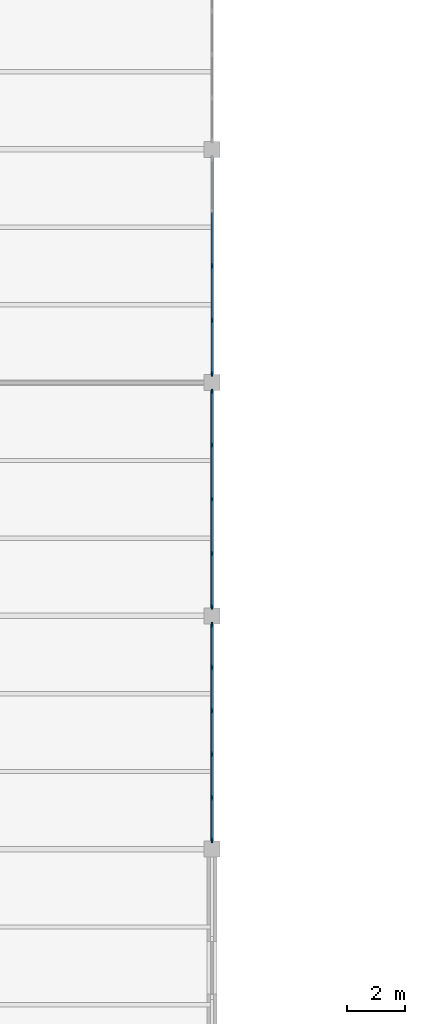
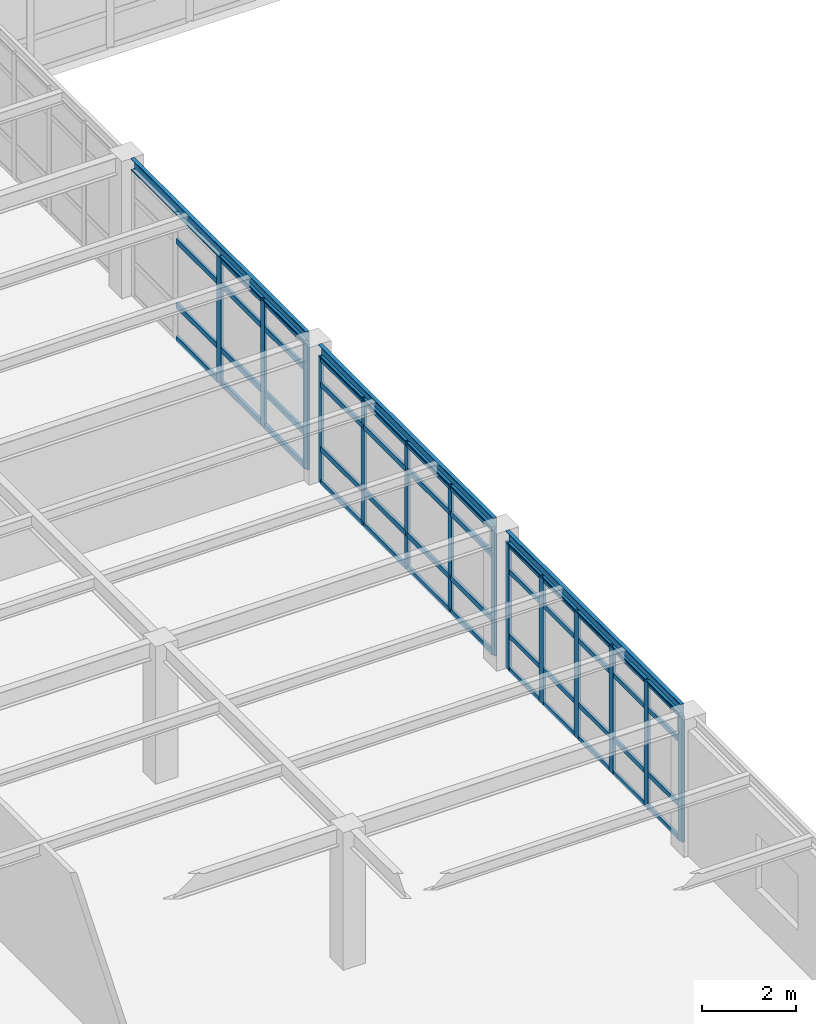
# One storey, part 14 of 53: 61 members, 3 beams, 3 elements without a shape of their own.
"""IFC4 building model written with IfcOpenShell, lengths in metres."""

from ifc_helpers import new_model, si_unit, direction, frame, origin, origin_2d, place, context, subcontext, project, spatial, rectangle, u_section, extrude, material, layer, layer_set, material_profile, profile_set, type_object, element, aggregate, save


model = new_model("IFC4")

# Units and contexts
model_context = context("Model", 3, precision=1e-05, world=origin(), true_north=direction((0.0, 1.0)))
body_context = subcontext(model_context, "Body", "Model", "MODEL_VIEW")
ifc_project = project(units=[si_unit("LENGTHUNIT", "METRE"), si_unit("AREAUNIT", "SQUARE_METRE"), si_unit("VOLUMEUNIT", "CUBIC_METRE"), si_unit("PLANEANGLEUNIT", "RADIAN"), si_unit("MASSUNIT", "GRAM", prefix="KILO")], contexts=[model_context])

# Site, building, storey
site_placement = place(None, origin())
site = spatial("IfcSite", under=ifc_project, at=site_placement, CompositionType="ELEMENT")
building_placement = place(site_placement, origin())
building = spatial("IfcBuilding", under=site, at=building_placement, Name="Kranzveld Transit Interchange", CompositionType="ELEMENT")
storey_placement = place(building_placement, frame((0.0, 0.0, 13.360107421875)))
storey = spatial("IfcBuildingStorey", under=building, at=storey_placement, Name="L03", CompositionType="ELEMENT", Elevation=13.360107421875)

# Curtain wall, members
ifc_material_1 = material(Name="Bronze-anodised thermally broken aluminium", Category="aluminium")
ifc_layer_1 = layer(ifc_material_1, 0.159912109375)
ifc_layer_set_1 = layer_set([ifc_layer_1], Name="Bronze-anodised thermally broken aluminium")
curtain_wall_type_1 = type_object("IfcCurtainWallType", Name="Bus Boarding Glazed Screen CW-3", PredefinedType="USERDEFINED", material=ifc_layer_set_1)
curtain_wall_1_placement = place(storey_placement, origin())
curtain_wall_1 = element("IfcCurtainWall", 1, at=curtain_wall_1_placement, inside=storey, type_object=curtain_wall_type_1, Name="L03 Curtain Wall 05/J-05/K", ObjectType="CURTAIN WALL", PredefinedType="USERDEFINED")
ifc_material_2 = material(Name="Bronze-anodised thermally broken aluminium", Category="aluminium")
ifc_material_profile_1 = material_profile(ifc_material_2, rectangle(XDim=0.06005859375, YDim=0.14990234375, at=origin_2d()), Name="ALU MULLION 60x150")
ifc_profile_set_1 = profile_set([ifc_material_profile_1], Name="Bronze-anodised thermally broken aluminium")
member_type_1 = type_object("IfcMemberType", Name="Curtain Wall Mullion 60x150 Alu", PredefinedType="MULLION", material=ifc_profile_set_1)
member_1_placement = place(storey_placement, frame((33.60009765625, 64.304931640625, 0.0), z_axis=(0.0, 0.0, 1.0), x_axis=(-1.0, 0.0, 0.0)))
member_1 = element("IfcMember", 2, at=member_1_placement, type_object=member_type_1, Name="CW-3 mullion 1", PredefinedType="MULLION", context=body_context, shape_type="SweptSolid", body=[
    extrude(rectangle(XDim=0.06005859375, YDim=0.14990234375, at=origin_2d()), origin(), (0.0, 0.0, 1.0), 3.27978515625),
])
member_2_placement = place(storey_placement, frame((33.60009765625, 66.137451171875, 0.0), z_axis=(0.0, 0.0, 1.0), x_axis=(-1.0, 0.0, 0.0)))
member_2 = element("IfcMember", 3, at=member_2_placement, type_object=member_type_1, Name="CW-3 mullion 2", PredefinedType="MULLION", context=body_context, shape_type="SweptSolid", body=[
    extrude(rectangle(XDim=0.06005859375, YDim=0.14990234375, at=origin_2d()), origin(), (0.0, 0.0, 1.0), 3.27978515625),
])
member_3_placement = place(storey_placement, frame((33.60009765625, 68.0, 0.0), z_axis=(0.0, 0.0, 1.0), x_axis=(-1.0, 0.0, 0.0)))
member_3 = element("IfcMember", 4, at=member_3_placement, type_object=member_type_1, Name="CW-3 mullion 3", PredefinedType="MULLION", context=body_context, shape_type="SweptSolid", body=[
    extrude(rectangle(XDim=0.06005859375, YDim=0.14990234375, at=origin_2d()), origin(), (0.0, 0.0, 1.0), 3.27978515625),
])
member_4_placement = place(storey_placement, frame((33.60009765625, 69.862548828125, 0.0), z_axis=(0.0, 0.0, 1.0), x_axis=(-1.0, 0.0, 0.0)))
member_4 = element("IfcMember", 5, at=member_4_placement, type_object=member_type_1, Name="CW-3 mullion 4", PredefinedType="MULLION", context=body_context, shape_type="SweptSolid", body=[
    extrude(rectangle(XDim=0.06005859375, YDim=0.14990234375, at=origin_2d()), origin(), (0.0, 0.0, 1.0), 3.27978515625),
])
member_5_placement = place(storey_placement, frame((33.60009765625, 71.695068359375, 0.0), z_axis=(0.0, 0.0, 1.0), x_axis=(-1.0, 0.0, 0.0)))
member_5 = element("IfcMember", 6, at=member_5_placement, type_object=member_type_1, Name="CW-3 mullion 5", PredefinedType="MULLION", context=body_context, shape_type="SweptSolid", body=[
    extrude(rectangle(XDim=0.06005859375, YDim=0.14990234375, at=origin_2d()), origin(), (0.0, 0.0, 1.0), 3.27978515625),
])

ifc_material_3 = material(Name="Bronze-anodised thermally broken aluminium", Category="aluminium")
ifc_layer_2 = layer(ifc_material_3, 0.1650390625)
ifc_layer_set_2 = layer_set([ifc_layer_2], Name="Bronze-anodised thermally broken aluminium")
curtain_wall_type_2 = type_object("IfcCurtainWallType", Name="Sunny Court Arcade Curtain Wall CW-2", PredefinedType="USERDEFINED", material=ifc_layer_set_2)
curtain_wall_2_placement = place(storey_placement, origin())
curtain_wall_2 = element("IfcCurtainWall", 7, at=curtain_wall_2_placement, inside=storey, type_object=curtain_wall_type_2, Name="L03 Curtain Wall 05/H-05/J", ObjectType="CURTAIN WALL", PredefinedType="USERDEFINED")
ifc_material_4 = material(Name="Bronze-anodised thermally broken aluminium", Category="aluminium")
ifc_material_profile_2 = material_profile(ifc_material_4, rectangle(XDim=0.06494140625, YDim=0.179931640625, at=origin_2d()), Name="ALU MULLION 65x180")
ifc_profile_set_2 = profile_set([ifc_material_profile_2], Name="Bronze-anodised thermally broken aluminium")
member_type_2 = type_object("IfcMemberType", Name="Curtain Wall Mullion 65x180 Alu", PredefinedType="MULLION", material=ifc_profile_set_2)
member_6_placement = place(storey_placement, frame((33.60009765625, 56.3076171875, 0.0), z_axis=(0.0, 0.0, 1.0), x_axis=(-1.0, 0.0, 0.0)))
member_6 = element("IfcMember", 8, at=member_6_placement, type_object=member_type_2, Name="CW-2 mullion 1", PredefinedType="MULLION", context=body_context, shape_type="SweptSolid", body=[
    extrude(rectangle(XDim=0.06494140625, YDim=0.179931640625, at=origin_2d()), origin(), (0.0, 0.0, 1.0), 3.27978515625),
])
member_7_placement = place(storey_placement, frame((33.60009765625, 57.764892578125, 0.0), z_axis=(0.0, 0.0, 1.0), x_axis=(-1.0, 0.0, 0.0)))
member_7 = element("IfcMember", 9, at=member_7_placement, type_object=member_type_2, Name="CW-2 mullion 2", PredefinedType="MULLION", context=body_context, shape_type="SweptSolid", body=[
    extrude(rectangle(XDim=0.06494140625, YDim=0.179931640625, at=origin_2d()), origin(), (0.0, 0.0, 1.0), 3.27978515625),
])
member_8_placement = place(storey_placement, frame((33.60009765625, 59.2548828125, 0.0), z_axis=(0.0, 0.0, 1.0), x_axis=(-1.0, 0.0, 0.0)))
member_8 = element("IfcMember", 10, at=member_8_placement, type_object=member_type_2, Name="CW-2 mullion 3", PredefinedType="MULLION", context=body_context, shape_type="SweptSolid", body=[
    extrude(rectangle(XDim=0.06494140625, YDim=0.179931640625, at=origin_2d()), origin(), (0.0, 0.0, 1.0), 3.27978515625),
])
member_9_placement = place(storey_placement, frame((33.60009765625, 60.7451171875, 0.0), z_axis=(0.0, 0.0, 1.0), x_axis=(-1.0, 0.0, 0.0)))
member_9 = element("IfcMember", 11, at=member_9_placement, type_object=member_type_2, Name="CW-2 mullion 4", PredefinedType="MULLION", context=body_context, shape_type="SweptSolid", body=[
    extrude(rectangle(XDim=0.06494140625, YDim=0.179931640625, at=origin_2d()), origin(), (0.0, 0.0, 1.0), 3.27978515625),
])
member_10_placement = place(storey_placement, frame((33.60009765625, 62.235107421875, 0.0), z_axis=(0.0, 0.0, 1.0), x_axis=(-1.0, 0.0, 0.0)))
member_10 = element("IfcMember", 12, at=member_10_placement, type_object=member_type_2, Name="CW-2 mullion 5", PredefinedType="MULLION", context=body_context, shape_type="SweptSolid", body=[
    extrude(rectangle(XDim=0.06494140625, YDim=0.179931640625, at=origin_2d()), origin(), (0.0, 0.0, 1.0), 3.27978515625),
])
member_11_placement = place(storey_placement, frame((33.60009765625, 63.6923828125, 0.0), z_axis=(0.0, 0.0, 1.0), x_axis=(-1.0, 0.0, 0.0)))
member_11 = element("IfcMember", 13, at=member_11_placement, type_object=member_type_2, Name="CW-2 mullion 6", PredefinedType="MULLION", context=body_context, shape_type="SweptSolid", body=[
    extrude(rectangle(XDim=0.06494140625, YDim=0.179931640625, at=origin_2d()), origin(), (0.0, 0.0, 1.0), 3.27978515625),
])

ifc_material_5 = material(Name="Bronze-anodised thermally broken aluminium", Category="aluminium")
ifc_layer_3 = layer(ifc_material_5, 0.179931640625)
ifc_layer_set_3 = layer_set([ifc_layer_3], Name="Bronze-anodised thermally broken aluminium")
curtain_wall_type_3 = type_object("IfcCurtainWallType", Name="Concourse Unitised Curtain Wall CW-1", PredefinedType="USERDEFINED", material=ifc_layer_set_3)
curtain_wall_3_placement = place(storey_placement, origin())
curtain_wall_3 = element("IfcCurtainWall", 14, at=curtain_wall_3_placement, inside=storey, type_object=curtain_wall_type_3, Name="L03 Curtain Wall 05/K-05/L", ObjectType="CURTAIN WALL", PredefinedType="USERDEFINED")
member_12_placement = place(storey_placement, frame((33.60009765625, 72.3076171875, 0.0), z_axis=(0.0, 0.0, 1.0), x_axis=(-1.0, 0.0, 0.0)))
member_12 = element("IfcMember", 15, at=member_12_placement, type_object=member_type_2, Name="CW-1 mullion 1", PredefinedType="MULLION", context=body_context, shape_type="SweptSolid", body=[
    extrude(rectangle(XDim=0.06494140625, YDim=0.179931640625, at=origin_2d()), origin(), (0.0, 0.0, 1.0), 3.27978515625),
])
member_13_placement = place(storey_placement, frame((33.60009765625, 74.137451171875, 0.0), z_axis=(0.0, 0.0, 1.0), x_axis=(-1.0, 0.0, 0.0)))
member_13 = element("IfcMember", 16, at=member_13_placement, type_object=member_type_2, Name="CW-1 mullion 2", PredefinedType="MULLION", context=body_context, shape_type="SweptSolid", body=[
    extrude(rectangle(XDim=0.06494140625, YDim=0.179931640625, at=origin_2d()), origin(), (0.0, 0.0, 1.0), 3.27978515625),
])
member_14_placement = place(storey_placement, frame((33.60009765625, 76.0, 0.0), z_axis=(0.0, 0.0, 1.0), x_axis=(-1.0, 0.0, 0.0)))
member_14 = element("IfcMember", 17, at=member_14_placement, type_object=member_type_2, Name="CW-1 mullion 3", PredefinedType="MULLION", context=body_context, shape_type="SweptSolid", body=[
    extrude(rectangle(XDim=0.06494140625, YDim=0.179931640625, at=origin_2d()), origin(), (0.0, 0.0, 1.0), 3.27978515625),
])

# Member
ifc_material_6 = material(Name="Bronze-anodised thermally broken aluminium", Category="aluminium")
ifc_material_profile_3 = material_profile(ifc_material_6, rectangle(XDim=0.06005859375, YDim=0.125, at=origin_2d()), Name="ALU TRANSOM 60x125")
ifc_profile_set_3 = profile_set([ifc_material_profile_3], Name="Bronze-anodised thermally broken aluminium")
member_type_3 = type_object("IfcMemberType", Name="Curtain Wall Transom 60x125 Alu", PredefinedType="USERDEFINED", material=ifc_profile_set_3)
member_15_placement = place(storey_placement, frame((33.60009765625, 56.340087890625, 0.02978515625), z_axis=(0.0, 1.0, 0.0), x_axis=(-1.0, 0.0, 0.0)))
member_15 = element("IfcMember", 18, at=member_15_placement, type_object=member_type_3, Name="CW-2 transom 1.1", ObjectType="TRANSOM", PredefinedType="USERDEFINED", context=body_context, shape_type="SweptSolid", body=[
    extrude(rectangle(XDim=0.06005859375, YDim=0.125, at=origin_2d()), origin(), (0.0, 0.0, 1.0), 1.392333984375),
])

member_16_placement = place(storey_placement, frame((33.60009765625, 56.340087890625, 0.89990234375), z_axis=(0.0, 1.0, 0.0), x_axis=(-1.0, 0.0, 0.0)))
member_16 = element("IfcMember", 19, at=member_16_placement, type_object=member_type_3, Name="CW-2 transom 1.2", ObjectType="TRANSOM", PredefinedType="USERDEFINED", context=body_context, shape_type="SweptSolid", body=[
    extrude(rectangle(XDim=0.06005859375, YDim=0.125, at=origin_2d()), origin(), (0.0, 0.0, 1.0), 1.392333984375),
])

member_17_placement = place(storey_placement, frame((33.60009765625, 56.340087890625, 2.579833984375), z_axis=(0.0, 1.0, 0.0), x_axis=(-1.0, 0.0, 0.0)))
member_17 = element("IfcMember", 20, at=member_17_placement, type_object=member_type_3, Name="CW-2 transom 1.3", ObjectType="TRANSOM", PredefinedType="USERDEFINED", context=body_context, shape_type="SweptSolid", body=[
    extrude(rectangle(XDim=0.06005859375, YDim=0.125, at=origin_2d()), origin(), (0.0, 0.0, 1.0), 1.392333984375),
])

member_18_placement = place(storey_placement, frame((33.60009765625, 56.340087890625, 3.25), z_axis=(0.0, 1.0, 0.0), x_axis=(-1.0, 0.0, 0.0)))
member_18 = element("IfcMember", 21, at=member_18_placement, type_object=member_type_3, Name="CW-2 transom 1.4", ObjectType="TRANSOM", PredefinedType="USERDEFINED", context=body_context, shape_type="SweptSolid", body=[
    extrude(rectangle(XDim=0.06005859375, YDim=0.125, at=origin_2d()), origin(), (0.0, 0.0, 1.0), 1.392333984375),
])

member_19_placement = place(storey_placement, frame((33.60009765625, 57.797607421875, 0.02978515625), z_axis=(0.0, 1.0, 0.0), x_axis=(-1.0, 0.0, 0.0)))
member_19 = element("IfcMember", 22, at=member_19_placement, type_object=member_type_3, Name="CW-2 transom 2.1", ObjectType="TRANSOM", PredefinedType="USERDEFINED", context=body_context, shape_type="SweptSolid", body=[
    extrude(rectangle(XDim=0.06005859375, YDim=0.125, at=origin_2d()), origin(), (0.0, 0.0, 1.0), 1.4248046875),
])

member_20_placement = place(storey_placement, frame((33.60009765625, 57.797607421875, 0.89990234375), z_axis=(0.0, 1.0, 0.0), x_axis=(-1.0, 0.0, 0.0)))
member_20 = element("IfcMember", 23, at=member_20_placement, type_object=member_type_3, Name="CW-2 transom 2.2", ObjectType="TRANSOM", PredefinedType="USERDEFINED", context=body_context, shape_type="SweptSolid", body=[
    extrude(rectangle(XDim=0.06005859375, YDim=0.125, at=origin_2d()), origin(), (0.0, 0.0, 1.0), 1.4248046875),
])

member_21_placement = place(storey_placement, frame((33.60009765625, 57.797607421875, 2.579833984375), z_axis=(0.0, 1.0, 0.0), x_axis=(-1.0, 0.0, 0.0)))
member_21 = element("IfcMember", 24, at=member_21_placement, type_object=member_type_3, Name="CW-2 transom 2.3", ObjectType="TRANSOM", PredefinedType="USERDEFINED", context=body_context, shape_type="SweptSolid", body=[
    extrude(rectangle(XDim=0.06005859375, YDim=0.125, at=origin_2d()), origin(), (0.0, 0.0, 1.0), 1.4248046875),
])

member_22_placement = place(storey_placement, frame((33.60009765625, 57.797607421875, 3.25), z_axis=(0.0, 1.0, 0.0), x_axis=(-1.0, 0.0, 0.0)))
member_22 = element("IfcMember", 25, at=member_22_placement, type_object=member_type_3, Name="CW-2 transom 2.4", ObjectType="TRANSOM", PredefinedType="USERDEFINED", context=body_context, shape_type="SweptSolid", body=[
    extrude(rectangle(XDim=0.06005859375, YDim=0.125, at=origin_2d()), origin(), (0.0, 0.0, 1.0), 1.4248046875),
])

member_23_placement = place(storey_placement, frame((33.60009765625, 59.28759765625, 0.02978515625), z_axis=(0.0, 1.0, 0.0), x_axis=(-1.0, 0.0, 0.0)))
member_23 = element("IfcMember", 26, at=member_23_placement, type_object=member_type_3, Name="CW-2 transom 3.1", ObjectType="TRANSOM", PredefinedType="USERDEFINED", context=body_context, shape_type="SweptSolid", body=[
    extrude(rectangle(XDim=0.06005859375, YDim=0.125, at=origin_2d()), origin(), (0.0, 0.0, 1.0), 1.4248046875),
])

member_24_placement = place(storey_placement, frame((33.60009765625, 59.28759765625, 0.89990234375), z_axis=(0.0, 1.0, 0.0), x_axis=(-1.0, 0.0, 0.0)))
member_24 = element("IfcMember", 27, at=member_24_placement, type_object=member_type_3, Name="CW-2 transom 3.2", ObjectType="TRANSOM", PredefinedType="USERDEFINED", context=body_context, shape_type="SweptSolid", body=[
    extrude(rectangle(XDim=0.06005859375, YDim=0.125, at=origin_2d()), origin(), (0.0, 0.0, 1.0), 1.4248046875),
])

member_25_placement = place(storey_placement, frame((33.60009765625, 59.28759765625, 2.579833984375), z_axis=(0.0, 1.0, 0.0), x_axis=(-1.0, 0.0, 0.0)))
member_25 = element("IfcMember", 28, at=member_25_placement, type_object=member_type_3, Name="CW-2 transom 3.3", ObjectType="TRANSOM", PredefinedType="USERDEFINED", context=body_context, shape_type="SweptSolid", body=[
    extrude(rectangle(XDim=0.06005859375, YDim=0.125, at=origin_2d()), origin(), (0.0, 0.0, 1.0), 1.4248046875),
])

member_26_placement = place(storey_placement, frame((33.60009765625, 59.28759765625, 3.25), z_axis=(0.0, 1.0, 0.0), x_axis=(-1.0, 0.0, 0.0)))
member_26 = element("IfcMember", 29, at=member_26_placement, type_object=member_type_3, Name="CW-2 transom 3.4", ObjectType="TRANSOM", PredefinedType="USERDEFINED", context=body_context, shape_type="SweptSolid", body=[
    extrude(rectangle(XDim=0.06005859375, YDim=0.125, at=origin_2d()), origin(), (0.0, 0.0, 1.0), 1.4248046875),
])

member_27_placement = place(storey_placement, frame((33.60009765625, 60.777587890625, 0.02978515625), z_axis=(0.0, 1.0, 0.0), x_axis=(-1.0, 0.0, 0.0)))
member_27 = element("IfcMember", 30, at=member_27_placement, type_object=member_type_3, Name="CW-2 transom 4.1", ObjectType="TRANSOM", PredefinedType="USERDEFINED", context=body_context, shape_type="SweptSolid", body=[
    extrude(rectangle(XDim=0.06005859375, YDim=0.125, at=origin_2d()), origin(), (0.0, 0.0, 1.0), 1.4248046875),
])

member_28_placement = place(storey_placement, frame((33.60009765625, 60.777587890625, 0.89990234375), z_axis=(0.0, 1.0, 0.0), x_axis=(-1.0, 0.0, 0.0)))
member_28 = element("IfcMember", 31, at=member_28_placement, type_object=member_type_3, Name="CW-2 transom 4.2", ObjectType="TRANSOM", PredefinedType="USERDEFINED", context=body_context, shape_type="SweptSolid", body=[
    extrude(rectangle(XDim=0.06005859375, YDim=0.125, at=origin_2d()), origin(), (0.0, 0.0, 1.0), 1.4248046875),
])

member_29_placement = place(storey_placement, frame((33.60009765625, 60.777587890625, 2.579833984375), z_axis=(0.0, 1.0, 0.0), x_axis=(-1.0, 0.0, 0.0)))
member_29 = element("IfcMember", 32, at=member_29_placement, type_object=member_type_3, Name="CW-2 transom 4.3", ObjectType="TRANSOM", PredefinedType="USERDEFINED", context=body_context, shape_type="SweptSolid", body=[
    extrude(rectangle(XDim=0.06005859375, YDim=0.125, at=origin_2d()), origin(), (0.0, 0.0, 1.0), 1.4248046875),
])

member_30_placement = place(storey_placement, frame((33.60009765625, 60.777587890625, 3.25), z_axis=(0.0, 1.0, 0.0), x_axis=(-1.0, 0.0, 0.0)))
member_30 = element("IfcMember", 33, at=member_30_placement, type_object=member_type_3, Name="CW-2 transom 4.4", ObjectType="TRANSOM", PredefinedType="USERDEFINED", context=body_context, shape_type="SweptSolid", body=[
    extrude(rectangle(XDim=0.06005859375, YDim=0.125, at=origin_2d()), origin(), (0.0, 0.0, 1.0), 1.4248046875),
])

member_31_placement = place(storey_placement, frame((33.60009765625, 62.267578125, 0.02978515625), z_axis=(0.0, 1.0, 0.0), x_axis=(-1.0, 0.0, 0.0)))
member_31 = element("IfcMember", 34, at=member_31_placement, type_object=member_type_3, Name="CW-2 transom 5.1", ObjectType="TRANSOM", PredefinedType="USERDEFINED", context=body_context, shape_type="SweptSolid", body=[
    extrude(rectangle(XDim=0.06005859375, YDim=0.125, at=origin_2d()), origin(), (0.0, 0.0, 1.0), 1.392333984375),
])

member_32_placement = place(storey_placement, frame((33.60009765625, 62.267578125, 0.89990234375), z_axis=(0.0, 1.0, 0.0), x_axis=(-1.0, 0.0, 0.0)))
member_32 = element("IfcMember", 35, at=member_32_placement, type_object=member_type_3, Name="CW-2 transom 5.2", ObjectType="TRANSOM", PredefinedType="USERDEFINED", context=body_context, shape_type="SweptSolid", body=[
    extrude(rectangle(XDim=0.06005859375, YDim=0.125, at=origin_2d()), origin(), (0.0, 0.0, 1.0), 1.392333984375),
])

member_33_placement = place(storey_placement, frame((33.60009765625, 62.267578125, 2.579833984375), z_axis=(0.0, 1.0, 0.0), x_axis=(-1.0, 0.0, 0.0)))
member_33 = element("IfcMember", 36, at=member_33_placement, type_object=member_type_3, Name="CW-2 transom 5.3", ObjectType="TRANSOM", PredefinedType="USERDEFINED", context=body_context, shape_type="SweptSolid", body=[
    extrude(rectangle(XDim=0.06005859375, YDim=0.125, at=origin_2d()), origin(), (0.0, 0.0, 1.0), 1.392333984375),
])

member_34_placement = place(storey_placement, frame((33.60009765625, 62.267578125, 3.25), z_axis=(0.0, 1.0, 0.0), x_axis=(-1.0, 0.0, 0.0)))
member_34 = element("IfcMember", 37, at=member_34_placement, type_object=member_type_3, Name="CW-2 transom 5.4", ObjectType="TRANSOM", PredefinedType="USERDEFINED", context=body_context, shape_type="SweptSolid", body=[
    extrude(rectangle(XDim=0.06005859375, YDim=0.125, at=origin_2d()), origin(), (0.0, 0.0, 1.0), 1.392333984375),
])

aggregate(curtain_wall_2, [member_6, member_7, member_8, member_9, member_10, member_11, member_15, member_16, member_17, member_18, member_19, member_20, member_21, member_22, member_23, member_24, member_25, member_26, member_27, member_28, member_29, member_30, member_31, member_32, member_33, member_34])

ifc_material_7 = material(Name="Bronze-anodised thermally broken aluminium", Category="aluminium")
ifc_material_profile_4 = material_profile(ifc_material_7, rectangle(XDim=0.06494140625, YDim=0.139892578125, at=origin_2d()), Name="ALU TRANSOM 65x140")
ifc_profile_set_4 = profile_set([ifc_material_profile_4], Name="Bronze-anodised thermally broken aluminium")
member_type_4 = type_object("IfcMemberType", Name="Curtain Wall Transom 65x140 Alu", PredefinedType="USERDEFINED", material=ifc_profile_set_4)
member_35_placement = place(storey_placement, frame((33.60009765625, 64.3349609375, 0.032470703125), z_axis=(0.0, 1.0, 0.0), x_axis=(-1.0, 0.0, 0.0)))
member_35 = element("IfcMember", 38, at=member_35_placement, type_object=member_type_4, Name="CW-3 transom 1.1", ObjectType="TRANSOM", PredefinedType="USERDEFINED", context=body_context, shape_type="SweptSolid", body=[
    extrude(rectangle(XDim=0.06494140625, YDim=0.139892578125, at=origin_2d()), origin(), (0.0, 0.0, 1.0), 1.7724609375),
])

member_36_placement = place(storey_placement, frame((33.60009765625, 64.3349609375, 0.89990234375), z_axis=(0.0, 1.0, 0.0), x_axis=(-1.0, 0.0, 0.0)))
member_36 = element("IfcMember", 39, at=member_36_placement, type_object=member_type_4, Name="CW-3 transom 1.2", ObjectType="TRANSOM", PredefinedType="USERDEFINED", context=body_context, shape_type="SweptSolid", body=[
    extrude(rectangle(XDim=0.06494140625, YDim=0.139892578125, at=origin_2d()), origin(), (0.0, 0.0, 1.0), 1.7724609375),
])

member_37_placement = place(storey_placement, frame((33.60009765625, 64.3349609375, 2.579833984375), z_axis=(0.0, 1.0, 0.0), x_axis=(-1.0, 0.0, 0.0)))
member_37 = element("IfcMember", 40, at=member_37_placement, type_object=member_type_4, Name="CW-3 transom 1.3", ObjectType="TRANSOM", PredefinedType="USERDEFINED", context=body_context, shape_type="SweptSolid", body=[
    extrude(rectangle(XDim=0.06494140625, YDim=0.139892578125, at=origin_2d()), origin(), (0.0, 0.0, 1.0), 1.7724609375),
])

member_38_placement = place(storey_placement, frame((33.60009765625, 64.3349609375, 3.247314453125), z_axis=(0.0, 1.0, 0.0), x_axis=(-1.0, 0.0, 0.0)))
member_38 = element("IfcMember", 41, at=member_38_placement, type_object=member_type_4, Name="CW-3 transom 1.4", ObjectType="TRANSOM", PredefinedType="USERDEFINED", context=body_context, shape_type="SweptSolid", body=[
    extrude(rectangle(XDim=0.06494140625, YDim=0.139892578125, at=origin_2d()), origin(), (0.0, 0.0, 1.0), 1.7724609375),
])

member_39_placement = place(storey_placement, frame((33.60009765625, 66.16748046875, 0.032470703125), z_axis=(0.0, 1.0, 0.0), x_axis=(-1.0, 0.0, 0.0)))
member_39 = element("IfcMember", 42, at=member_39_placement, type_object=member_type_4, Name="CW-3 transom 2.1", ObjectType="TRANSOM", PredefinedType="USERDEFINED", context=body_context, shape_type="SweptSolid", body=[
    extrude(rectangle(XDim=0.06494140625, YDim=0.139892578125, at=origin_2d()), origin(), (0.0, 0.0, 1.0), 1.802490234375),
])

member_40_placement = place(storey_placement, frame((33.60009765625, 66.16748046875, 0.89990234375), z_axis=(0.0, 1.0, 0.0), x_axis=(-1.0, 0.0, 0.0)))
member_40 = element("IfcMember", 43, at=member_40_placement, type_object=member_type_4, Name="CW-3 transom 2.2", ObjectType="TRANSOM", PredefinedType="USERDEFINED", context=body_context, shape_type="SweptSolid", body=[
    extrude(rectangle(XDim=0.06494140625, YDim=0.139892578125, at=origin_2d()), origin(), (0.0, 0.0, 1.0), 1.802490234375),
])

member_41_placement = place(storey_placement, frame((33.60009765625, 66.16748046875, 2.579833984375), z_axis=(0.0, 1.0, 0.0), x_axis=(-1.0, 0.0, 0.0)))
member_41 = element("IfcMember", 44, at=member_41_placement, type_object=member_type_4, Name="CW-3 transom 2.3", ObjectType="TRANSOM", PredefinedType="USERDEFINED", context=body_context, shape_type="SweptSolid", body=[
    extrude(rectangle(XDim=0.06494140625, YDim=0.139892578125, at=origin_2d()), origin(), (0.0, 0.0, 1.0), 1.802490234375),
])

member_42_placement = place(storey_placement, frame((33.60009765625, 66.16748046875, 3.247314453125), z_axis=(0.0, 1.0, 0.0), x_axis=(-1.0, 0.0, 0.0)))
member_42 = element("IfcMember", 45, at=member_42_placement, type_object=member_type_4, Name="CW-3 transom 2.4", ObjectType="TRANSOM", PredefinedType="USERDEFINED", context=body_context, shape_type="SweptSolid", body=[
    extrude(rectangle(XDim=0.06494140625, YDim=0.139892578125, at=origin_2d()), origin(), (0.0, 0.0, 1.0), 1.802490234375),
])

member_43_placement = place(storey_placement, frame((33.60009765625, 68.030029296875, 0.032470703125), z_axis=(0.0, 1.0, 0.0), x_axis=(-1.0, 0.0, 0.0)))
member_43 = element("IfcMember", 46, at=member_43_placement, type_object=member_type_4, Name="CW-3 transom 3.1", ObjectType="TRANSOM", PredefinedType="USERDEFINED", context=body_context, shape_type="SweptSolid", body=[
    extrude(rectangle(XDim=0.06494140625, YDim=0.139892578125, at=origin_2d()), origin(), (0.0, 0.0, 1.0), 1.802490234375),
])

member_44_placement = place(storey_placement, frame((33.60009765625, 68.030029296875, 0.89990234375), z_axis=(0.0, 1.0, 0.0), x_axis=(-1.0, 0.0, 0.0)))
member_44 = element("IfcMember", 47, at=member_44_placement, type_object=member_type_4, Name="CW-3 transom 3.2", ObjectType="TRANSOM", PredefinedType="USERDEFINED", context=body_context, shape_type="SweptSolid", body=[
    extrude(rectangle(XDim=0.06494140625, YDim=0.139892578125, at=origin_2d()), origin(), (0.0, 0.0, 1.0), 1.802490234375),
])

member_45_placement = place(storey_placement, frame((33.60009765625, 68.030029296875, 2.579833984375), z_axis=(0.0, 1.0, 0.0), x_axis=(-1.0, 0.0, 0.0)))
member_45 = element("IfcMember", 48, at=member_45_placement, type_object=member_type_4, Name="CW-3 transom 3.3", ObjectType="TRANSOM", PredefinedType="USERDEFINED", context=body_context, shape_type="SweptSolid", body=[
    extrude(rectangle(XDim=0.06494140625, YDim=0.139892578125, at=origin_2d()), origin(), (0.0, 0.0, 1.0), 1.802490234375),
])

member_46_placement = place(storey_placement, frame((33.60009765625, 68.030029296875, 3.247314453125), z_axis=(0.0, 1.0, 0.0), x_axis=(-1.0, 0.0, 0.0)))
member_46 = element("IfcMember", 49, at=member_46_placement, type_object=member_type_4, Name="CW-3 transom 3.4", ObjectType="TRANSOM", PredefinedType="USERDEFINED", context=body_context, shape_type="SweptSolid", body=[
    extrude(rectangle(XDim=0.06494140625, YDim=0.139892578125, at=origin_2d()), origin(), (0.0, 0.0, 1.0), 1.802490234375),
])

member_47_placement = place(storey_placement, frame((33.60009765625, 69.892578125, 0.032470703125), z_axis=(0.0, 1.0, 0.0), x_axis=(-1.0, 0.0, 0.0)))
member_47 = element("IfcMember", 50, at=member_47_placement, type_object=member_type_4, Name="CW-3 transom 4.1", ObjectType="TRANSOM", PredefinedType="USERDEFINED", context=body_context, shape_type="SweptSolid", body=[
    extrude(rectangle(XDim=0.06494140625, YDim=0.139892578125, at=origin_2d()), origin(), (0.0, 0.0, 1.0), 1.7724609375),
])

member_48_placement = place(storey_placement, frame((33.60009765625, 69.892578125, 0.89990234375), z_axis=(0.0, 1.0, 0.0), x_axis=(-1.0, 0.0, 0.0)))
member_48 = element("IfcMember", 51, at=member_48_placement, type_object=member_type_4, Name="CW-3 transom 4.2", ObjectType="TRANSOM", PredefinedType="USERDEFINED", context=body_context, shape_type="SweptSolid", body=[
    extrude(rectangle(XDim=0.06494140625, YDim=0.139892578125, at=origin_2d()), origin(), (0.0, 0.0, 1.0), 1.7724609375),
])

member_49_placement = place(storey_placement, frame((33.60009765625, 69.892578125, 2.579833984375), z_axis=(0.0, 1.0, 0.0), x_axis=(-1.0, 0.0, 0.0)))
member_49 = element("IfcMember", 52, at=member_49_placement, type_object=member_type_4, Name="CW-3 transom 4.3", ObjectType="TRANSOM", PredefinedType="USERDEFINED", context=body_context, shape_type="SweptSolid", body=[
    extrude(rectangle(XDim=0.06494140625, YDim=0.139892578125, at=origin_2d()), origin(), (0.0, 0.0, 1.0), 1.7724609375),
])

member_50_placement = place(storey_placement, frame((33.60009765625, 69.892578125, 3.247314453125), z_axis=(0.0, 1.0, 0.0), x_axis=(-1.0, 0.0, 0.0)))
member_50 = element("IfcMember", 53, at=member_50_placement, type_object=member_type_4, Name="CW-3 transom 4.4", ObjectType="TRANSOM", PredefinedType="USERDEFINED", context=body_context, shape_type="SweptSolid", body=[
    extrude(rectangle(XDim=0.06494140625, YDim=0.139892578125, at=origin_2d()), origin(), (0.0, 0.0, 1.0), 1.7724609375),
])

aggregate(curtain_wall_1, [member_1, member_2, member_3, member_4, member_5, member_35, member_36, member_37, member_38, member_39, member_40, member_41, member_42, member_43, member_44, member_45, member_46, member_47, member_48, member_49, member_50])

member_51_placement = place(storey_placement, frame((33.60009765625, 72.340087890625, 0.032470703125), z_axis=(0.0, 1.0, 0.0), x_axis=(-1.0, 0.0, 0.0)))
member_51 = element("IfcMember", 54, at=member_51_placement, type_object=member_type_4, Name="CW-1 transom 1.1", ObjectType="TRANSOM", PredefinedType="USERDEFINED", context=body_context, shape_type="SweptSolid", body=[
    extrude(rectangle(XDim=0.06494140625, YDim=0.139892578125, at=origin_2d()), origin(), (0.0, 0.0, 1.0), 1.764892578125),
])

member_52_placement = place(storey_placement, frame((33.60009765625, 72.340087890625, 0.89990234375), z_axis=(0.0, 1.0, 0.0), x_axis=(-1.0, 0.0, 0.0)))
member_52 = element("IfcMember", 55, at=member_52_placement, type_object=member_type_4, Name="CW-1 transom 1.2", ObjectType="TRANSOM", PredefinedType="USERDEFINED", context=body_context, shape_type="SweptSolid", body=[
    extrude(rectangle(XDim=0.06494140625, YDim=0.139892578125, at=origin_2d()), origin(), (0.0, 0.0, 1.0), 1.764892578125),
])

member_53_placement = place(storey_placement, frame((33.60009765625, 72.340087890625, 2.579833984375), z_axis=(0.0, 1.0, 0.0), x_axis=(-1.0, 0.0, 0.0)))
member_53 = element("IfcMember", 56, at=member_53_placement, type_object=member_type_4, Name="CW-1 transom 1.3", ObjectType="TRANSOM", PredefinedType="USERDEFINED", context=body_context, shape_type="SweptSolid", body=[
    extrude(rectangle(XDim=0.06494140625, YDim=0.139892578125, at=origin_2d()), origin(), (0.0, 0.0, 1.0), 1.764892578125),
])

member_54_placement = place(storey_placement, frame((33.60009765625, 72.340087890625, 3.247314453125), z_axis=(0.0, 1.0, 0.0), x_axis=(-1.0, 0.0, 0.0)))
member_54 = element("IfcMember", 57, at=member_54_placement, type_object=member_type_4, Name="CW-1 transom 1.4", ObjectType="TRANSOM", PredefinedType="USERDEFINED", context=body_context, shape_type="SweptSolid", body=[
    extrude(rectangle(XDim=0.06494140625, YDim=0.139892578125, at=origin_2d()), origin(), (0.0, 0.0, 1.0), 1.764892578125),
])

member_55_placement = place(storey_placement, frame((33.60009765625, 74.169921875, 0.032470703125), z_axis=(0.0, 1.0, 0.0), x_axis=(-1.0, 0.0, 0.0)))
member_55 = element("IfcMember", 58, at=member_55_placement, type_object=member_type_4, Name="CW-1 transom 2.1", ObjectType="TRANSOM", PredefinedType="USERDEFINED", context=body_context, shape_type="SweptSolid", body=[
    extrude(rectangle(XDim=0.06494140625, YDim=0.139892578125, at=origin_2d()), origin(), (0.0, 0.0, 1.0), 1.797607421875),
])

member_56_placement = place(storey_placement, frame((33.60009765625, 74.169921875, 0.89990234375), z_axis=(0.0, 1.0, 0.0), x_axis=(-1.0, 0.0, 0.0)))
member_56 = element("IfcMember", 59, at=member_56_placement, type_object=member_type_4, Name="CW-1 transom 2.2", ObjectType="TRANSOM", PredefinedType="USERDEFINED", context=body_context, shape_type="SweptSolid", body=[
    extrude(rectangle(XDim=0.06494140625, YDim=0.139892578125, at=origin_2d()), origin(), (0.0, 0.0, 1.0), 1.797607421875),
])

member_57_placement = place(storey_placement, frame((33.60009765625, 74.169921875, 2.579833984375), z_axis=(0.0, 1.0, 0.0), x_axis=(-1.0, 0.0, 0.0)))
member_57 = element("IfcMember", 60, at=member_57_placement, type_object=member_type_4, Name="CW-1 transom 2.3", ObjectType="TRANSOM", PredefinedType="USERDEFINED", context=body_context, shape_type="SweptSolid", body=[
    extrude(rectangle(XDim=0.06494140625, YDim=0.139892578125, at=origin_2d()), origin(), (0.0, 0.0, 1.0), 1.797607421875),
])

member_58_placement = place(storey_placement, frame((33.60009765625, 74.169921875, 3.247314453125), z_axis=(0.0, 1.0, 0.0), x_axis=(-1.0, 0.0, 0.0)))
member_58 = element("IfcMember", 61, at=member_58_placement, type_object=member_type_4, Name="CW-1 transom 2.4", ObjectType="TRANSOM", PredefinedType="USERDEFINED", context=body_context, shape_type="SweptSolid", body=[
    extrude(rectangle(XDim=0.06494140625, YDim=0.139892578125, at=origin_2d()), origin(), (0.0, 0.0, 1.0), 1.797607421875),
])

member_59_placement = place(storey_placement, frame((33.60009765625, 76.032470703125, 0.032470703125), z_axis=(0.0, 1.0, 0.0), x_axis=(-1.0, 0.0, 0.0)))
member_59 = element("IfcMember", 62, at=member_59_placement, type_object=member_type_4, Name="CW-1 transom 3.1", ObjectType="TRANSOM", PredefinedType="USERDEFINED", context=body_context, shape_type="SweptSolid", body=[
    extrude(rectangle(XDim=0.06494140625, YDim=0.139892578125, at=origin_2d()), origin(), (0.0, 0.0, 1.0), 1.797607421875),
])

member_60_placement = place(storey_placement, frame((33.60009765625, 76.032470703125, 0.89990234375), z_axis=(0.0, 1.0, 0.0), x_axis=(-1.0, 0.0, 0.0)))
member_60 = element("IfcMember", 63, at=member_60_placement, type_object=member_type_4, Name="CW-1 transom 3.2", ObjectType="TRANSOM", PredefinedType="USERDEFINED", context=body_context, shape_type="SweptSolid", body=[
    extrude(rectangle(XDim=0.06494140625, YDim=0.139892578125, at=origin_2d()), origin(), (0.0, 0.0, 1.0), 1.797607421875),
])

member_61_placement = place(storey_placement, frame((33.60009765625, 76.032470703125, 2.579833984375), z_axis=(0.0, 1.0, 0.0), x_axis=(-1.0, 0.0, 0.0)))
member_61 = element("IfcMember", 64, at=member_61_placement, type_object=member_type_4, Name="CW-1 transom 3.3", ObjectType="TRANSOM", PredefinedType="USERDEFINED", context=body_context, shape_type="SweptSolid", body=[
    extrude(rectangle(XDim=0.06494140625, YDim=0.139892578125, at=origin_2d()), origin(), (0.0, 0.0, 1.0), 1.797607421875),
])

aggregate(curtain_wall_3, [member_12, member_13, member_14, member_51, member_52, member_53, member_54, member_55, member_56, member_57, member_58, member_59, member_60, member_61])

# Beams
ifc_material_8 = material(Name="Steel S355JR", Category="steel")
ifc_material_profile_5 = material_profile(ifc_material_8, u_section(Depth=0.300048828125, FlangeWidth=0.090087890625, WebThickness=0.009033203125, FlangeThickness=0.015380859375, FilletRadius=0.011962890625, at=origin_2d()), Name="PFC 300x90x41")
ifc_profile_set_5 = profile_set([ifc_material_profile_5], Name="Steel S355JR")
beam_type = type_object("IfcBeamType", Name="Edge Spandrel PFC 300x90x41 S355JR", PredefinedType="SPANDREL", material=ifc_profile_set_5)
for number, where, z_axis, x_axis, name in (
    (65, (33.60009765625, 56.264892578125, 3.429931640625), (0.0, 1.0, 0.0), (-1.0, 0.0, 0.0), "L03 Girder 05/H-J"),
    (66, (33.60009765625, 64.264892578125, 3.429931640625), (0.0, 1.0, 0.0), (-1.0, 0.0, 0.0), "L03 Girder 05/J-K"),
    (67, (33.60009765625, 72.264892578125, 3.429931640625), (0.0, 1.0, 0.0), (-1.0, 0.0, 0.0), "L03 Girder 05/K-L"),
):
    element("IfcBeam", number, at=place(storey_placement, frame(where, z_axis=z_axis, x_axis=x_axis)), inside=storey, type_object=beam_type, Name=name, PredefinedType="SPANDREL", context=body_context, shape_type="SweptSolid", body=[
        extrude(u_section(Depth=0.300048828125, FlangeWidth=0.090087890625, WebThickness=0.009033203125, FlangeThickness=0.015380859375, FilletRadius=0.011962890625, at=origin_2d()), origin(), (0.0, 0.0, 1.0), 7.47021484375),
    ])

save(model, "model.ifc")
